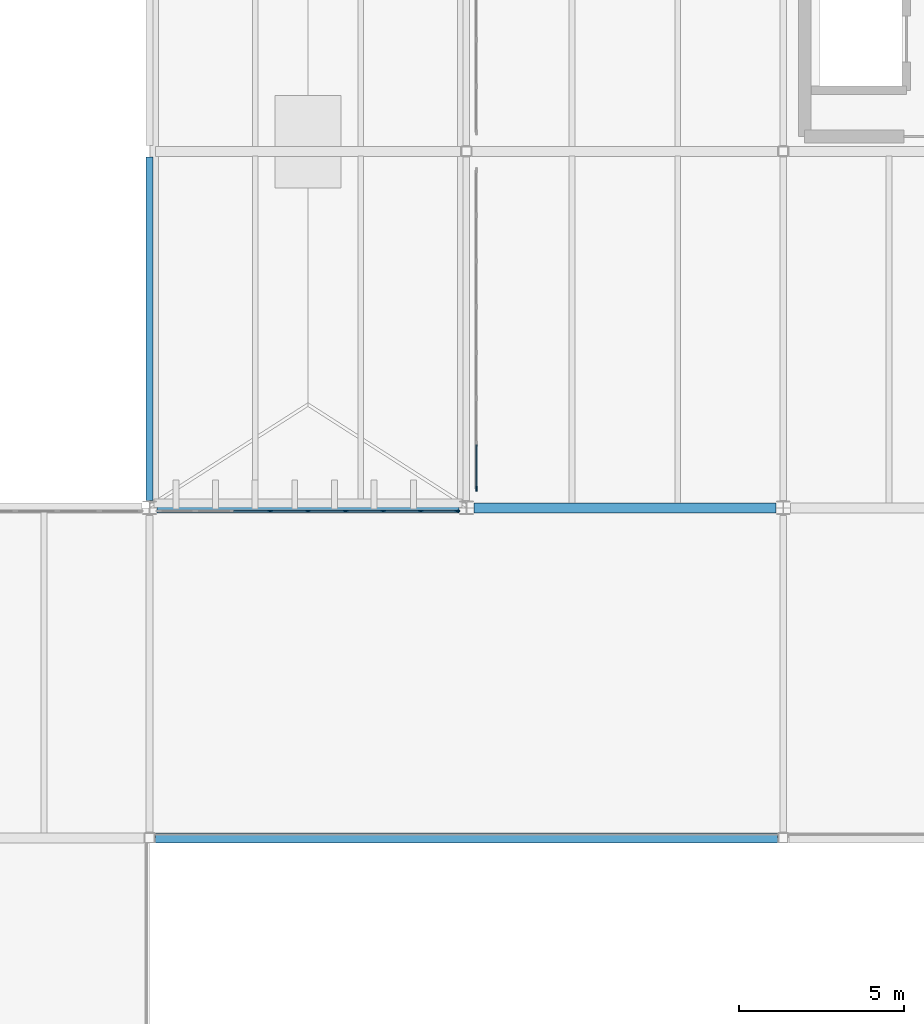
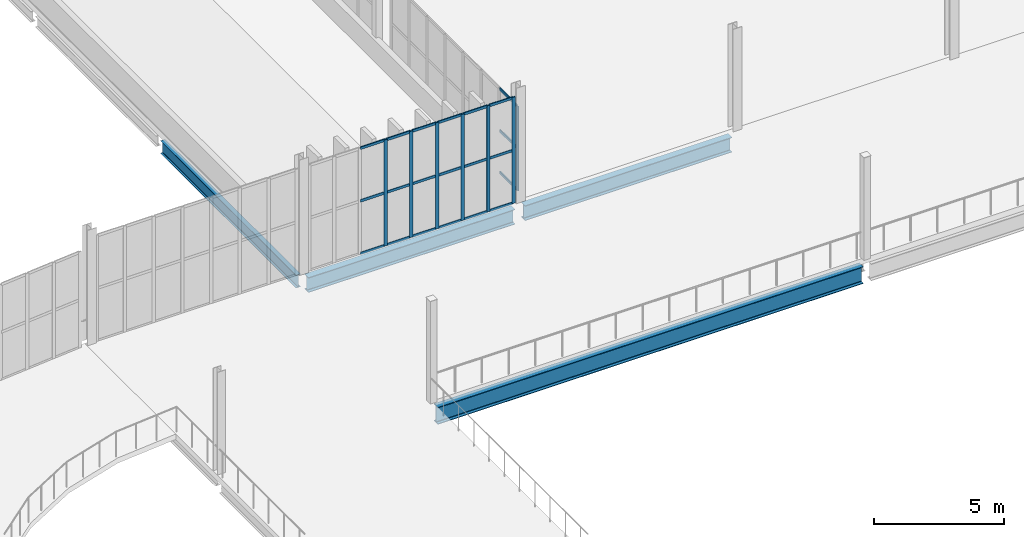
# One storey, part 42 of 112: 28 members, 4 beams, 2 elements without a shape of their own.
"""IFC4 building model written with IfcOpenShell, lengths in metres."""

from ifc_helpers import new_model, si_unit, direction, frame, origin, origin_2d, place, context, subcontext, project, spatial, rectangle, i_section, extrude, material, layer, layer_set, material_profile, profile_set, type_object, element, aggregate, save


model = new_model("IFC4")

# Units and contexts
model_context = context("Model", 3, precision=1e-05, world=origin(), true_north=direction((0.0, 1.0)))
body_context = subcontext(model_context, "Body", "Model", "MODEL_VIEW")
ifc_project = project(units=[si_unit("LENGTHUNIT", "METRE"), si_unit("AREAUNIT", "SQUARE_METRE"), si_unit("VOLUMEUNIT", "CUBIC_METRE"), si_unit("PLANEANGLEUNIT", "RADIAN"), si_unit("MASSUNIT", "GRAM", prefix="KILO")], contexts=[model_context])

# Site, building, storey
site_placement = place(None, origin())
site = spatial("IfcSite", under=ifc_project, at=site_placement, CompositionType="ELEMENT")
building_placement = place(site_placement, origin())
building = spatial("IfcBuilding", under=site, at=building_placement, Name="Yeouljin Market Hall", CompositionType="ELEMENT")
storey_placement = place(building_placement, frame((0.0, 0.0, 6.0)))
storey = spatial("IfcBuildingStorey", under=building, at=storey_placement, Name="L01", CompositionType="ELEMENT", Elevation=6.0)

# Beam
ifc_material_1 = material(Name="Steel SM355", Category="steel")
ifc_material_profile_1 = material_profile(ifc_material_1, i_section(OverallWidth=0.199951171875, OverallDepth=0.60009765625, WebThickness=0.010986328125, FlangeThickness=0.01708984375, FilletRadius=0.02197265625, at=origin_2d()), Name="H-600x200x11x17")
ifc_profile_set_1 = profile_set([ifc_material_profile_1], Name="Steel SM355")
beam_type_1 = type_object("IfcBeamType", Name="Beam_H-600x200x11x17", PredefinedType="BEAM", material=ifc_profile_set_1)
beam_1_placement = place(storey_placement, frame((45.0, 78.22509765625, -0.580078125), z_axis=(0.0, 1.0, 0.0), x_axis=(-1.0, 0.0, 0.0)))
element("IfcBeam", 1, at=beam_1_placement, inside=storey, type_object=beam_type_1, Name="Primary beam BM-L01-Y158", PredefinedType="BEAM", context=body_context, shape_type="SweptSolid", body=[
    extrude(i_section(OverallWidth=0.199951171875, OverallDepth=0.60009765625, WebThickness=0.010986328125, FlangeThickness=0.01708984375, FilletRadius=0.02197265625, at=origin_2d()), origin(), (0.0, 0.0, 1.0), 10.39990234375),
])

# Curtain wall, members
ifc_material_2 = material(Name="Thermally Broken Aluminium", Category="aluminium")
ifc_layer_1 = layer(ifc_material_2, 0.159912109375)
ifc_layer_set_1 = layer_set([ifc_layer_1], Name="Thermally Broken Aluminium")
curtain_wall_type_1 = type_object("IfcCurtainWallType", Name="CW_HallClerestory_System", PredefinedType="USERDEFINED", material=ifc_layer_set_1)
curtain_wall_1_placement = place(storey_placement, origin())
curtain_wall_1 = element("IfcCurtainWall", 2, at=curtain_wall_1_placement, inside=storey, type_object=curtain_wall_type_1, Name="Curtain wall CW-V1N-UP-02", ObjectType="CURTAIN WALL", PredefinedType="USERDEFINED")
ifc_material_3 = material(Name="Thermally Broken Aluminium", Category="aluminium")
ifc_material_profile_2 = material_profile(ifc_material_3, rectangle(XDim=0.048095703125, YDim=0.14990234375, at=origin_2d()), Name="CW-MULL-48x150")
ifc_profile_set_2 = profile_set([ifc_material_profile_2], Name="Thermally Broken Aluminium")
member_type_1 = type_object("IfcMemberType", Name="CWMullion_48x150", PredefinedType="MULLION", material=ifc_profile_set_2)
member_1_placement = place(storey_placement, frame((48.66259765625, 77.89990234375, 0.0), z_axis=(0.0, 0.0, 1.0), x_axis=(0.0, 1.0, 0.0)))
member_1 = element("IfcMember", 3, at=member_1_placement, type_object=member_type_1, Name="CW-02 mullion 4", PredefinedType="MULLION", context=body_context, shape_type="SweptSolid", body=[
    extrude(rectangle(XDim=0.048095703125, YDim=0.14990234375, at=origin_2d()), origin(), (0.0, 0.0, 1.0), 4.969970703125),
])
member_2_placement = place(storey_placement, frame((49.800048828125, 77.89990234375, 0.0), z_axis=(0.0, 0.0, 1.0), x_axis=(0.0, 1.0, 0.0)))
member_2 = element("IfcMember", 4, at=member_2_placement, type_object=member_type_1, Name="CW-02 mullion 5", PredefinedType="MULLION", context=body_context, shape_type="SweptSolid", body=[
    extrude(rectangle(XDim=0.048095703125, YDim=0.14990234375, at=origin_2d()), origin(), (0.0, 0.0, 1.0), 4.969970703125),
])
member_3_placement = place(storey_placement, frame((50.9375, 77.89990234375, 0.0), z_axis=(0.0, 0.0, 1.0), x_axis=(0.0, 1.0, 0.0)))
member_3 = element("IfcMember", 5, at=member_3_placement, type_object=member_type_1, Name="CW-02 mullion 6", PredefinedType="MULLION", context=body_context, shape_type="SweptSolid", body=[
    extrude(rectangle(XDim=0.048095703125, YDim=0.14990234375, at=origin_2d()), origin(), (0.0, 0.0, 1.0), 4.969970703125),
])
member_4_placement = place(storey_placement, frame((52.074951171875, 77.89990234375, 0.0), z_axis=(0.0, 0.0, 1.0), x_axis=(0.0, 1.0, 0.0)))
member_4 = element("IfcMember", 6, at=member_4_placement, type_object=member_type_1, Name="CW-02 mullion 7", PredefinedType="MULLION", context=body_context, shape_type="SweptSolid", body=[
    extrude(rectangle(XDim=0.048095703125, YDim=0.14990234375, at=origin_2d()), origin(), (0.0, 0.0, 1.0), 4.969970703125),
])
member_5_placement = place(storey_placement, frame((53.21240234375, 77.89990234375, 0.0), z_axis=(0.0, 0.0, 1.0), x_axis=(0.0, 1.0, 0.0)))
member_5 = element("IfcMember", 7, at=member_5_placement, type_object=member_type_1, Name="CW-02 mullion 8", PredefinedType="MULLION", context=body_context, shape_type="SweptSolid", body=[
    extrude(rectangle(XDim=0.048095703125, YDim=0.14990234375, at=origin_2d()), origin(), (0.0, 0.0, 1.0), 4.969970703125),
])
member_6_placement = place(storey_placement, frame((54.325927734375, 77.89990234375, 0.0), z_axis=(0.0, 0.0, 1.0), x_axis=(0.0, 1.0, 0.0)))
member_6 = element("IfcMember", 8, at=member_6_placement, type_object=member_type_1, Name="CW-02 mullion 9", PredefinedType="MULLION", context=body_context, shape_type="SweptSolid", body=[
    extrude(rectangle(XDim=0.048095703125, YDim=0.14990234375, at=origin_2d()), origin(), (0.0, 0.0, 1.0), 4.969970703125),
])

# Curtain wall, member
ifc_material_4 = material(Name="Thermally Broken Aluminium", Category="aluminium")
ifc_layer_2 = layer(ifc_material_4, 0.14990234375)
ifc_layer_set_2 = layer_set([ifc_layer_2], Name="Thermally Broken Aluminium")
curtain_wall_type_2 = type_object("IfcCurtainWallType", Name="CW_WingStorefront_System", PredefinedType="USERDEFINED", material=ifc_layer_set_2)
curtain_wall_2_placement = place(storey_placement, origin())
curtain_wall_2 = element("IfcCurtainWall", 9, at=curtain_wall_2_placement, inside=storey, type_object=curtain_wall_type_2, Name="Curtain wall CW-CRT-L01-21", ObjectType="CURTAIN WALL", PredefinedType="USERDEFINED")
member_7_placement = place(storey_placement, frame((54.89990234375, 78.573974609375, 0.0), z_axis=(0.0, 0.0, 1.0), x_axis=(-1.0, 0.0, 0.0)))
member_7 = element("IfcMember", 10, at=member_7_placement, type_object=member_type_1, Name="CW-04 mullion 1", PredefinedType="MULLION", context=body_context, shape_type="SweptSolid", body=[
    extrude(rectangle(XDim=0.048095703125, YDim=0.14990234375, at=origin_2d()), origin(), (0.0, 0.0, 1.0), 3.949951171875),
])

# Member
ifc_material_5 = material(Name="Thermally Broken Aluminium", Category="aluminium")
ifc_material_profile_3 = material_profile(ifc_material_5, rectangle(XDim=0.048095703125, YDim=0.1201171875, at=origin_2d()), Name="CW-TRAN-48x120")
ifc_profile_set_3 = profile_set([ifc_material_profile_3], Name="Thermally Broken Aluminium")
member_type_2 = type_object("IfcMemberType", Name="CWTransom_48x120", PredefinedType="USERDEFINED", material=ifc_profile_set_3)
member_8_placement = place(storey_placement, frame((47.549072265625, 77.89990234375, 0.02392578125), z_axis=(1.0, 0.0, 0.0), x_axis=(0.0, 1.0, 0.0)))
member_8 = element("IfcMember", 11, at=member_8_placement, type_object=member_type_2, Name="CW-02 transom 3.1", ObjectType="TRANSOM", PredefinedType="USERDEFINED", context=body_context, shape_type="SweptSolid", body=[
    extrude(rectangle(XDim=0.048095703125, YDim=0.1201171875, at=origin_2d()), origin(), (0.0, 0.0, 1.0), 1.08935546875),
])

member_9_placement = place(storey_placement, frame((47.549072265625, 77.89990234375, 2.485107421875), z_axis=(1.0, 0.0, 0.0), x_axis=(0.0, 1.0, 0.0)))
member_9 = element("IfcMember", 12, at=member_9_placement, type_object=member_type_2, Name="CW-02 transom 3.2", ObjectType="TRANSOM", PredefinedType="USERDEFINED", context=body_context, shape_type="SweptSolid", body=[
    extrude(rectangle(XDim=0.048095703125, YDim=0.1201171875, at=origin_2d()), origin(), (0.0, 0.0, 1.0), 1.08935546875),
])

member_10_placement = place(storey_placement, frame((47.549072265625, 77.89990234375, 4.946044921875), z_axis=(1.0, 0.0, 0.0), x_axis=(0.0, 1.0, 0.0)))
member_10 = element("IfcMember", 13, at=member_10_placement, type_object=member_type_2, Name="CW-02 transom 3.3", ObjectType="TRANSOM", PredefinedType="USERDEFINED", context=body_context, shape_type="SweptSolid", body=[
    extrude(rectangle(XDim=0.048095703125, YDim=0.1201171875, at=origin_2d()), origin(), (0.0, 0.0, 1.0), 1.08935546875),
])

member_11_placement = place(storey_placement, frame((48.6865234375, 77.89990234375, 0.02392578125), z_axis=(1.0, 0.0, 0.0), x_axis=(0.0, 1.0, 0.0)))
member_11 = element("IfcMember", 14, at=member_11_placement, type_object=member_type_2, Name="CW-02 transom 4.1", ObjectType="TRANSOM", PredefinedType="USERDEFINED", context=body_context, shape_type="SweptSolid", body=[
    extrude(rectangle(XDim=0.048095703125, YDim=0.1201171875, at=origin_2d()), origin(), (0.0, 0.0, 1.0), 1.08935546875),
])

member_12_placement = place(storey_placement, frame((48.6865234375, 77.89990234375, 2.485107421875), z_axis=(1.0, 0.0, 0.0), x_axis=(0.0, 1.0, 0.0)))
member_12 = element("IfcMember", 15, at=member_12_placement, type_object=member_type_2, Name="CW-02 transom 4.2", ObjectType="TRANSOM", PredefinedType="USERDEFINED", context=body_context, shape_type="SweptSolid", body=[
    extrude(rectangle(XDim=0.048095703125, YDim=0.1201171875, at=origin_2d()), origin(), (0.0, 0.0, 1.0), 1.08935546875),
])

member_13_placement = place(storey_placement, frame((48.6865234375, 77.89990234375, 4.946044921875), z_axis=(1.0, 0.0, 0.0), x_axis=(0.0, 1.0, 0.0)))
member_13 = element("IfcMember", 16, at=member_13_placement, type_object=member_type_2, Name="CW-02 transom 4.3", ObjectType="TRANSOM", PredefinedType="USERDEFINED", context=body_context, shape_type="SweptSolid", body=[
    extrude(rectangle(XDim=0.048095703125, YDim=0.1201171875, at=origin_2d()), origin(), (0.0, 0.0, 1.0), 1.08935546875),
])

member_14_placement = place(storey_placement, frame((49.823974609375, 77.89990234375, 0.02392578125), z_axis=(1.0, 0.0, 0.0), x_axis=(0.0, 1.0, 0.0)))
member_14 = element("IfcMember", 17, at=member_14_placement, type_object=member_type_2, Name="CW-02 transom 5.1", ObjectType="TRANSOM", PredefinedType="USERDEFINED", context=body_context, shape_type="SweptSolid", body=[
    extrude(rectangle(XDim=0.048095703125, YDim=0.1201171875, at=origin_2d()), origin(), (0.0, 0.0, 1.0), 1.089599609375),
])

member_15_placement = place(storey_placement, frame((49.823974609375, 77.89990234375, 2.485107421875), z_axis=(1.0, 0.0, 0.0), x_axis=(0.0, 1.0, 0.0)))
member_15 = element("IfcMember", 18, at=member_15_placement, type_object=member_type_2, Name="CW-02 transom 5.2", ObjectType="TRANSOM", PredefinedType="USERDEFINED", context=body_context, shape_type="SweptSolid", body=[
    extrude(rectangle(XDim=0.048095703125, YDim=0.1201171875, at=origin_2d()), origin(), (0.0, 0.0, 1.0), 1.089599609375),
])

member_16_placement = place(storey_placement, frame((49.823974609375, 77.89990234375, 4.946044921875), z_axis=(1.0, 0.0, 0.0), x_axis=(0.0, 1.0, 0.0)))
member_16 = element("IfcMember", 19, at=member_16_placement, type_object=member_type_2, Name="CW-02 transom 5.3", ObjectType="TRANSOM", PredefinedType="USERDEFINED", context=body_context, shape_type="SweptSolid", body=[
    extrude(rectangle(XDim=0.048095703125, YDim=0.1201171875, at=origin_2d()), origin(), (0.0, 0.0, 1.0), 1.089599609375),
])

member_17_placement = place(storey_placement, frame((50.96142578125, 77.89990234375, 0.02392578125), z_axis=(1.0, 0.0, 0.0), x_axis=(0.0, 1.0, 0.0)))
member_17 = element("IfcMember", 20, at=member_17_placement, type_object=member_type_2, Name="CW-02 transom 6.1", ObjectType="TRANSOM", PredefinedType="USERDEFINED", context=body_context, shape_type="SweptSolid", body=[
    extrude(rectangle(XDim=0.048095703125, YDim=0.1201171875, at=origin_2d()), origin(), (0.0, 0.0, 1.0), 1.089599609375),
])

member_18_placement = place(storey_placement, frame((50.96142578125, 77.89990234375, 2.485107421875), z_axis=(1.0, 0.0, 0.0), x_axis=(0.0, 1.0, 0.0)))
member_18 = element("IfcMember", 21, at=member_18_placement, type_object=member_type_2, Name="CW-02 transom 6.2", ObjectType="TRANSOM", PredefinedType="USERDEFINED", context=body_context, shape_type="SweptSolid", body=[
    extrude(rectangle(XDim=0.048095703125, YDim=0.1201171875, at=origin_2d()), origin(), (0.0, 0.0, 1.0), 1.089599609375),
])

member_19_placement = place(storey_placement, frame((50.96142578125, 77.89990234375, 4.946044921875), z_axis=(1.0, 0.0, 0.0), x_axis=(0.0, 1.0, 0.0)))
member_19 = element("IfcMember", 22, at=member_19_placement, type_object=member_type_2, Name="CW-02 transom 6.3", ObjectType="TRANSOM", PredefinedType="USERDEFINED", context=body_context, shape_type="SweptSolid", body=[
    extrude(rectangle(XDim=0.048095703125, YDim=0.1201171875, at=origin_2d()), origin(), (0.0, 0.0, 1.0), 1.089599609375),
])

member_20_placement = place(storey_placement, frame((52.09912109375, 77.89990234375, 0.02392578125), z_axis=(1.0, 0.0, 0.0), x_axis=(0.0, 1.0, 0.0)))
member_20 = element("IfcMember", 23, at=member_20_placement, type_object=member_type_2, Name="CW-02 transom 7.1", ObjectType="TRANSOM", PredefinedType="USERDEFINED", context=body_context, shape_type="SweptSolid", body=[
    extrude(rectangle(XDim=0.048095703125, YDim=0.1201171875, at=origin_2d()), origin(), (0.0, 0.0, 1.0), 1.08935546875),
])

member_21_placement = place(storey_placement, frame((52.09912109375, 77.89990234375, 2.485107421875), z_axis=(1.0, 0.0, 0.0), x_axis=(0.0, 1.0, 0.0)))
member_21 = element("IfcMember", 24, at=member_21_placement, type_object=member_type_2, Name="CW-02 transom 7.2", ObjectType="TRANSOM", PredefinedType="USERDEFINED", context=body_context, shape_type="SweptSolid", body=[
    extrude(rectangle(XDim=0.048095703125, YDim=0.1201171875, at=origin_2d()), origin(), (0.0, 0.0, 1.0), 1.08935546875),
])

member_22_placement = place(storey_placement, frame((52.09912109375, 77.89990234375, 4.946044921875), z_axis=(1.0, 0.0, 0.0), x_axis=(0.0, 1.0, 0.0)))
member_22 = element("IfcMember", 25, at=member_22_placement, type_object=member_type_2, Name="CW-02 transom 7.3", ObjectType="TRANSOM", PredefinedType="USERDEFINED", context=body_context, shape_type="SweptSolid", body=[
    extrude(rectangle(XDim=0.048095703125, YDim=0.1201171875, at=origin_2d()), origin(), (0.0, 0.0, 1.0), 1.08935546875),
])

member_23_placement = place(storey_placement, frame((53.236572265625, 77.89990234375, 0.02392578125), z_axis=(1.0, 0.0, 0.0), x_axis=(0.0, 1.0, 0.0)))
member_23 = element("IfcMember", 26, at=member_23_placement, type_object=member_type_2, Name="CW-02 transom 8.1", ObjectType="TRANSOM", PredefinedType="USERDEFINED", context=body_context, shape_type="SweptSolid", body=[
    extrude(rectangle(XDim=0.048095703125, YDim=0.1201171875, at=origin_2d()), origin(), (0.0, 0.0, 1.0), 1.0654296875),
])

member_24_placement = place(storey_placement, frame((53.236572265625, 77.89990234375, 2.485107421875), z_axis=(1.0, 0.0, 0.0), x_axis=(0.0, 1.0, 0.0)))
member_24 = element("IfcMember", 27, at=member_24_placement, type_object=member_type_2, Name="CW-02 transom 8.2", ObjectType="TRANSOM", PredefinedType="USERDEFINED", context=body_context, shape_type="SweptSolid", body=[
    extrude(rectangle(XDim=0.048095703125, YDim=0.1201171875, at=origin_2d()), origin(), (0.0, 0.0, 1.0), 1.0654296875),
])

member_25_placement = place(storey_placement, frame((53.236572265625, 77.89990234375, 4.946044921875), z_axis=(1.0, 0.0, 0.0), x_axis=(0.0, 1.0, 0.0)))
member_25 = element("IfcMember", 28, at=member_25_placement, type_object=member_type_2, Name="CW-02 transom 8.3", ObjectType="TRANSOM", PredefinedType="USERDEFINED", context=body_context, shape_type="SweptSolid", body=[
    extrude(rectangle(XDim=0.048095703125, YDim=0.1201171875, at=origin_2d()), origin(), (0.0, 0.0, 1.0), 1.0654296875),
])

aggregate(curtain_wall_1, [member_1, member_2, member_3, member_4, member_5, member_6, member_8, member_9, member_10, member_11, member_12, member_13, member_14, member_15, member_16, member_17, member_18, member_19, member_20, member_21, member_22, member_23, member_24, member_25])

member_26_placement = place(storey_placement, frame((54.89990234375, 78.597900390625, 0.02392578125), z_axis=(0.0, 1.0, 0.0), x_axis=(-1.0, 0.0, 0.0)))
member_26 = element("IfcMember", 29, at=member_26_placement, type_object=member_type_2, Name="CW-04 transom 1.1", ObjectType="TRANSOM", PredefinedType="USERDEFINED", context=body_context, shape_type="SweptSolid", body=[
    extrude(rectangle(XDim=0.048095703125, YDim=0.1201171875, at=origin_2d()), origin(), (0.0, 0.0, 1.0), 1.313720703125),
])

member_27_placement = place(storey_placement, frame((54.89990234375, 78.597900390625, 1.97509765625), z_axis=(0.0, 1.0, 0.0), x_axis=(-1.0, 0.0, 0.0)))
member_27 = element("IfcMember", 30, at=member_27_placement, type_object=member_type_2, Name="CW-04 transom 1.2", ObjectType="TRANSOM", PredefinedType="USERDEFINED", context=body_context, shape_type="SweptSolid", body=[
    extrude(rectangle(XDim=0.048095703125, YDim=0.1201171875, at=origin_2d()), origin(), (0.0, 0.0, 1.0), 1.313720703125),
])

member_28_placement = place(storey_placement, frame((54.89990234375, 78.597900390625, 3.926025390625), z_axis=(0.0, 1.0, 0.0), x_axis=(-1.0, 0.0, 0.0)))
member_28 = element("IfcMember", 31, at=member_28_placement, type_object=member_type_2, Name="CW-04 transom 1.3", ObjectType="TRANSOM", PredefinedType="USERDEFINED", context=body_context, shape_type="SweptSolid", body=[
    extrude(rectangle(XDim=0.048095703125, YDim=0.1201171875, at=origin_2d()), origin(), (0.0, 0.0, 1.0), 1.313720703125),
])

aggregate(curtain_wall_2, [member_7, member_26, member_27, member_28])

# Beams
ifc_material_6 = material(Name="Steel SM355", Category="steel")
ifc_material_profile_4 = material_profile(ifc_material_6, i_section(OverallWidth=0.300048828125, OverallDepth=0.699951171875, WebThickness=0.012939453125, FlangeThickness=0.02392578125, FilletRadius=0.02587890625, at=origin_2d()), Name="H-700x300x13x24")
ifc_profile_set_4 = profile_set([ifc_material_profile_4], Name="Steel SM355")
beam_type_2 = type_object("IfcBeamType", Name="Girder_H-700x300x13x24", PredefinedType="USERDEFINED", material=ifc_profile_set_4)
beam_2_placement = place(storey_placement, frame((45.22509765625, 78.0, -0.6298828125), z_axis=(1.0, 0.0, 0.0), x_axis=(0.0, 1.0, 0.0)))
element("IfcBeam", 32, at=beam_2_placement, inside=storey, type_object=beam_type_2, Name="Primary girder GRD-L01-X082", ObjectType="GIRDER", PredefinedType="USERDEFINED", context=body_context, shape_type="SweptSolid", body=[
    extrude(i_section(OverallWidth=0.300048828125, OverallDepth=0.699951171875, WebThickness=0.012939453125, FlangeThickness=0.02392578125, FilletRadius=0.02587890625, at=origin_2d()), origin(), (0.0, 0.0, 1.0), 9.14990234375),
])
beam_3_placement = place(storey_placement, frame((54.824951171875, 78.0, -0.6201171875), z_axis=(1.0, 0.0, 0.0), x_axis=(0.0, 1.0, 0.0)))
element("IfcBeam", 33, at=beam_3_placement, inside=storey, type_object=beam_type_2, Name="Primary girder GRD-L01-X083", ObjectType="GIRDER", PredefinedType="USERDEFINED", context=body_context, shape_type="SweptSolid", body=[
    extrude(i_section(OverallWidth=0.300048828125, OverallDepth=0.699951171875, WebThickness=0.012939453125, FlangeThickness=0.02392578125, FilletRadius=0.02587890625, at=origin_2d()), origin(), (0.0, 0.0, 1.0), 9.150146484375),
])
ifc_material_7 = material(Name="Steel SM355", Category="steel")
ifc_material_profile_5 = material_profile(ifc_material_7, i_section(OverallWidth=0.300048828125, OverallDepth=0.800048828125, WebThickness=0.013916015625, FlangeThickness=0.02587890625, FilletRadius=0.028076171875, at=origin_2d()), Name="H-800x300x14x26")
ifc_profile_set_5 = profile_set([ifc_material_profile_5], Name="Steel SM355")
beam_type_3 = type_object("IfcBeamType", Name="Girder_H-800x300x14x26", PredefinedType="USERDEFINED", material=ifc_profile_set_5)
beam_4_placement = place(storey_placement, frame((45.175048828125, 68.0, -0.669921875), z_axis=(1.0, 0.0, 0.0), x_axis=(0.0, 1.0, 0.0)))
element("IfcBeam", 34, at=beam_4_placement, inside=storey, type_object=beam_type_3, Name="Primary girder GRD-L01-X072", ObjectType="GIRDER", PredefinedType="USERDEFINED", context=body_context, shape_type="SweptSolid", body=[
    extrude(i_section(OverallWidth=0.300048828125, OverallDepth=0.800048828125, WebThickness=0.013916015625, FlangeThickness=0.02587890625, FilletRadius=0.028076171875, at=origin_2d()), origin(), (0.0, 0.0, 1.0), 18.849853515625),
])

save(model, "model.ifc")
